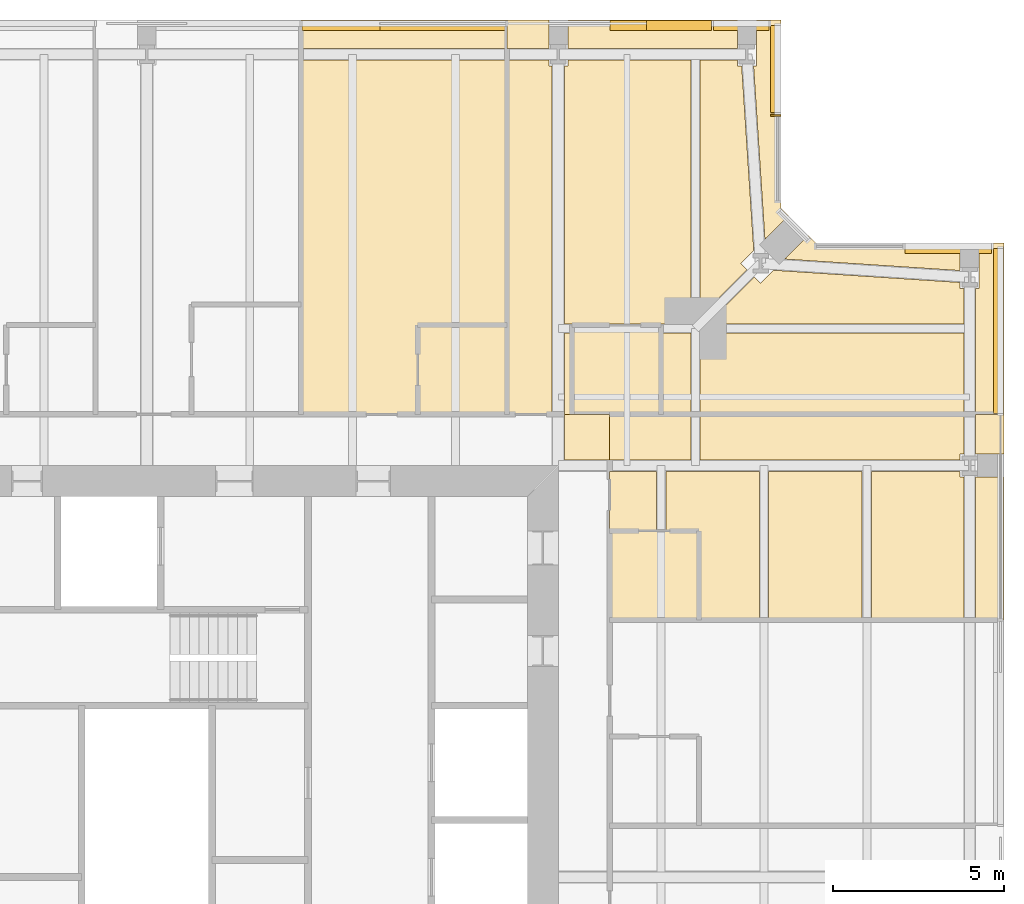
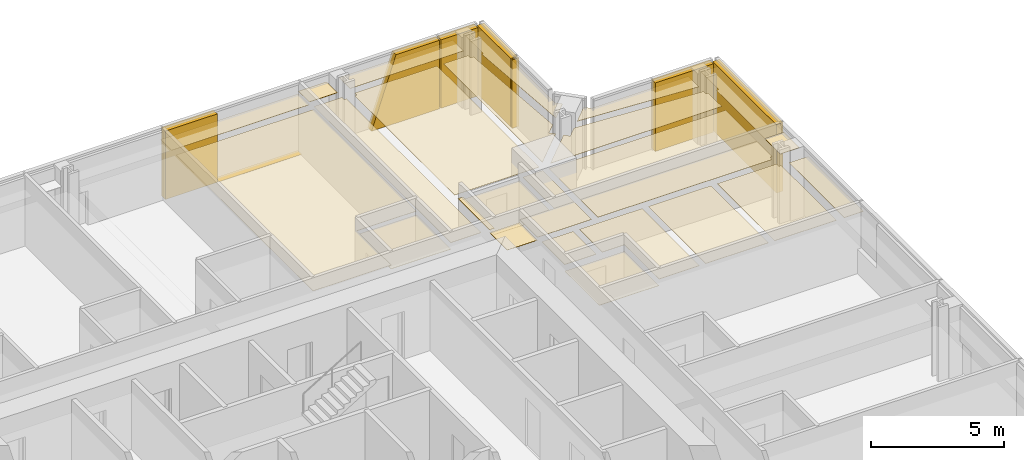
# One storey, part 20 of 20: 33 coverings.
"""IFC4 building model written with IfcOpenShell, lengths in metres."""

from ifc_helpers import new_model, si_unit, direction, frame, origin, place, context, subcontext, project, spatial, polyline, outline, extrude, material, layer, layer_set, type_object, element, save


model = new_model("IFC4")

# Units and contexts
model_context = context("Model", 3, precision=1e-05, world=origin(), true_north=direction((0.0, 1.0)))
body_context = subcontext(model_context, "Body", "Model", "MODEL_VIEW")
ifc_project = project(units=[si_unit("LENGTHUNIT", "METRE"), si_unit("AREAUNIT", "SQUARE_METRE"), si_unit("VOLUMEUNIT", "CUBIC_METRE"), si_unit("PLANEANGLEUNIT", "RADIAN"), si_unit("MASSUNIT", "GRAM", prefix="KILO")], contexts=[model_context])

# Site, building, storey
site_placement = place(None, origin())
site = spatial("IfcSite", under=ifc_project, at=site_placement, CompositionType="ELEMENT")
building_placement = place(site_placement, origin())
building = spatial("IfcBuilding", under=site, at=building_placement, Name="Fenwick Lantern Interchange", CompositionType="ELEMENT")
storey_placement = place(building_placement, frame((0.0, 0.0, 249.199951171875)))
storey = spatial("IfcBuildingStorey", under=building, at=storey_placement, Name="L58", CompositionType="ELEMENT", Elevation=249.199951171875)

# Coverings
ifc_material_1 = material(Name="Granite cladding, warm grey flamed finish, on aluminium carrier frame", Category="masonry")
ifc_layer_1 = layer(ifc_material_1, 0.300048828125)
ifc_layer_set_1 = layer_set([ifc_layer_1], Name="BRACE CASING PANEL 300")
covering_type_1 = type_object("IfcCoveringType", Name="BRACE CASING PANEL 300", PredefinedType="CLADDING", material=ifc_layer_set_1)
covering_1_placement = place(storey_placement, frame((49.89990234375, 6.60009765625, 0.0), z_axis=(0.0, 0.0, 1.0), x_axis=(0.0, 1.0, 0.0)))
element("IfcCovering", 1, at=covering_1_placement, inside=storey, type_object=covering_type_1, Name="Brace casing 05 bay 06a", PredefinedType="CLADDING", context=body_context, shape_type="SweptSolid", body=[
    extrude(outline(polyline([(31.929931640625, 0.0), (36.739990234375, 0.0), (36.739990234375, 3.150146484375), (31.929931640625, 3.150146484375), (31.929931640625, 0.0)])), frame((0.0, 0.2099609375, 0.0), z_axis=(0.0, -1.0, 0.0), x_axis=(1.0, 0.0, 0.0)), (0.0, 0.0, 1.0), 0.300048828125),
])
covering_2_placement = place(storey_placement, frame((49.89990234375, 43.39990234375, 0.0), z_axis=(0.0, 0.0, 1.0), x_axis=(-1.0, 0.0, 0.0)))
element("IfcCovering", 2, at=covering_2_placement, inside=storey, type_object=covering_type_1, Name="Brace casing 06 bay 00a", PredefinedType="CLADDING", context=body_context, shape_type="SweptSolid", body=[
    extrude(outline(polyline([(0.260009765625, 0.0), (2.790771484375, 0.0), (2.790771484375, 3.150146484375), (0.260009765625, 3.150146484375), (0.260009765625, 0.0)])), frame((0.0, 0.2099609375, 0.0), z_axis=(0.0, -1.0, 0.0), x_axis=(1.0, 0.0, 0.0)), (0.0, 0.0, 1.0), 0.300048828125),
])
covering_3_placement = place(storey_placement, frame((43.39990234375, 44.45849609375, 0.0), z_axis=(0.0, 0.0, 1.0), x_axis=(0.0, 1.0, 0.0)))
element("IfcCovering", 3, at=covering_3_placement, inside=storey, type_object=covering_type_1, Name="Brace casing 08 bay 00a", PredefinedType="CLADDING", context=body_context, shape_type="SweptSolid", body=[
    extrude(outline(polyline([(2.741455078125, 0.0), (2.790771484375, 0.0), (2.790771484375, 3.150146484375), (2.741455078125, 3.150146484375), (2.741455078125, 0.0)])), frame((0.0, 0.2099609375, 0.0), z_axis=(0.0, -1.0, 0.0), x_axis=(1.0, 0.0, 0.0)), (0.0, 0.0, 1.0), 0.300048828125),
])
covering_4_placement = place(storey_placement, frame((43.39990234375, 44.45849609375, 0.0), z_axis=(0.0, 0.0, 1.0), x_axis=(0.0, 1.0, 0.0)))
element("IfcCovering", 4, at=covering_4_placement, inside=storey, type_object=covering_type_1, Name="Brace casing 08 bay 01a", PredefinedType="CLADDING", context=body_context, shape_type="SweptSolid", body=[
    extrude(outline(polyline([(2.850830078125, 0.0), (5.38134765625, 0.0), (5.38134765625, 3.150146484375), (2.850830078125, 3.150146484375), (2.850830078125, 0.0)])), frame((0.0, 0.2099609375, 0.0), z_axis=(0.0, -1.0, 0.0), x_axis=(1.0, 0.0, 0.0)), (0.0, 0.0, 1.0), 0.300048828125),
])
covering_5_placement = place(storey_placement, frame((43.39990234375, 49.89990234375, 0.0), z_axis=(0.0, 0.0, 1.0), x_axis=(-1.0, 0.0, 0.0)))
element("IfcCovering", 5, at=covering_5_placement, inside=storey, type_object=covering_type_1, Name="Brace casing 09 bay 00a", PredefinedType="CLADDING", context=body_context, shape_type="SweptSolid", body=[
    extrude(outline(polyline([(0.260009765625, 0.0), (1.8701171875, 0.0), (1.8701171875, 3.150146484375), (0.260009765625, 3.150146484375), (0.260009765625, 0.0)])), frame((0.0, 0.2099609375, 0.0), z_axis=(0.0, -1.0, 0.0), x_axis=(1.0, 0.0, 0.0)), (0.0, 0.0, 1.0), 0.300048828125),
])
covering_6_placement = place(storey_placement, frame((43.39990234375, 49.89990234375, 0.0), z_axis=(0.0, 0.0, 1.0), x_axis=(-1.0, 0.0, 0.0)))
element("IfcCovering", 6, at=covering_6_placement, inside=storey, type_object=covering_type_1, Name="Brace casing 09 bay 01a", PredefinedType="CLADDING", context=body_context, shape_type="SweptSolid", body=[
    extrude(outline(polyline([(1.929931640625, 0.0), (4.890869140625, 0.0), (3.827392578125, 3.150146484375), (1.929931640625, 3.150146484375), (1.929931640625, 0.0)])), frame((0.0, 0.2099609375, 0.0), z_axis=(0.0, -1.0, 0.0), x_axis=(1.0, 0.0, 0.0)), (0.0, 0.0, 1.0), 0.300048828125),
])
covering_7_placement = place(storey_placement, frame((43.39990234375, 49.89990234375, 0.0), z_axis=(0.0, 0.0, 1.0), x_axis=(-1.0, 0.0, 0.0)))
element("IfcCovering", 7, at=covering_7_placement, inside=storey, type_object=covering_type_1, Name="Brace casing 09 bay 02a", PredefinedType="CLADDING", context=body_context, shape_type="SweptSolid", body=[
    extrude(outline(polyline([(7.929931640625, 0.0), (13.8701171875, 0.0), (13.8701171875, 3.150146484375), (11.60498046875, 3.150146484375), (11.60498046875, 0.00439453125), (7.929931640625, 0.00439453125), (7.929931640625, 0.0)])), frame((0.0, 0.2099609375, 0.0), z_axis=(0.0, -1.0, 0.0), x_axis=(1.0, 0.0, 0.0)), (0.0, 0.0, 1.0), 0.300048828125),
])
ifc_material_2 = material(Name="Moisture resistant gypsum board on suspended frame, painted")
ifc_layer_2 = layer(ifc_material_2, 0.014892578125)
ifc_layer_set_2 = layer_set([ifc_layer_2], Name="MOISTURE RESISTANT CEILING 15")
covering_type_2 = type_object("IfcCoveringType", Name="MOISTURE RESISTANT CEILING 15", PredefinedType="CEILING", material=ifc_layer_set_2)
covering_8_placement = place(storey_placement, frame((0.0, 0.0, 2.400146484375)))
element("IfcCovering", 8, at=covering_8_placement, inside=storey, type_object=covering_type_2, Name="En-suite 5810 ceiling", PredefinedType="CEILING", context=body_context, shape_type="SweptSolid", body=[
    extrude(outline(polyline([(41.10009765625, 32.5), (41.10009765625, 35.10009765625), (38.5, 35.10009765625), (38.5, 32.5), (41.10009765625, 32.5)])), origin(), (0.0, 0.0, 1.0), 0.014892578125),
])
covering_9_placement = place(storey_placement, frame((0.0, 0.0, 2.400146484375)))
element("IfcCovering", 9, at=covering_9_placement, inside=storey, type_object=covering_type_2, Name="En-suite 5811 ceiling", PredefinedType="CEILING", context=body_context, shape_type="SweptSolid", body=[
    extrude(outline(polyline([(40.0, 41.10009765625), (37.39990234375, 41.10009765625), (37.39990234375, 38.5), (40.0, 38.5), (40.0, 41.10009765625)])), origin(), (0.0, 0.0, 1.0), 0.014892578125),
])
covering_10_placement = place(storey_placement, frame((0.0, 0.0, 2.400146484375)))
element("IfcCovering", 10, at=covering_10_placement, inside=storey, type_object=covering_type_2, Name="En-suite 5812 ceiling", PredefinedType="CEILING", context=body_context, shape_type="SweptSolid", body=[
    extrude(outline(polyline([(35.5, 41.10009765625), (32.89990234375, 41.10009765625), (32.89990234375, 38.5), (35.5, 38.5), (35.5, 41.10009765625)])), origin(), (0.0, 0.0, 1.0), 0.014892578125),
])
ifc_material_3 = material(Name="Gypsum plasterboard on suspended frame, painted")
ifc_layer_3 = layer(ifc_material_3, 0.014892578125)
ifc_layer_set_3 = layer_set([ifc_layer_3], Name="PLASTERBOARD CEILING 15")
covering_type_3 = type_object("IfcCoveringType", Name="PLASTERBOARD CEILING 15", PredefinedType="CEILING", material=ifc_layer_set_3)
covering_11_placement = place(storey_placement, frame((0.0, 0.0, 2.572998046875)))
element("IfcCovering", 11, at=covering_11_placement, inside=storey, type_object=covering_type_3, Name="Corridor ceiling", PredefinedType="CEILING", context=body_context, shape_type="SweptSolid", body=[
    extrude(outline(polyline([(38.5, 38.5), (37.183837890625, 38.5), (37.183837890625, 37.166015625), (38.5, 37.166015625), (38.5, 38.5)])), origin(), (0.0, 0.0, 1.0), 0.014892578125),
])
covering_12_placement = place(storey_placement, frame((0.0, 0.0, 2.699951171875)))
element("IfcCovering", 12, at=covering_12_placement, inside=storey, type_object=covering_type_3, Name="Guest room 5810 ceiling", PredefinedType="CEILING", context=body_context, shape_type="SweptSolid", body=[
    extrude(outline(polyline([(43.134521484375, 32.5), (45.865478515625, 32.5), (45.865478515625, 36.833984375), (43.134521484375, 36.833984375), (43.134521484375, 32.5)])), origin(), (0.0, 0.0, 1.0), 0.01513671875),
])
covering_13_placement = place(storey_placement, frame((0.0, 0.0, 2.699951171875)))
element("IfcCovering", 13, at=covering_13_placement, inside=storey, type_object=covering_type_3, Name="Guest room 5810 ceiling", PredefinedType="CEILING", context=body_context, shape_type="SweptSolid", body=[
    extrude(outline(polyline([(48.72265625, 36.66552734375), (48.72265625, 36.833984375), (46.134521484375, 36.833984375), (46.134521484375, 32.5), (48.82763671875, 32.5), (48.82763671875, 36.66552734375), (48.72265625, 36.66552734375)])), origin(), (0.0, 0.0, 1.0), 0.01513671875),
])
covering_14_placement = place(storey_placement, frame((0.0, 0.0, 2.699951171875)))
element("IfcCovering", 14, at=covering_14_placement, inside=storey, type_object=covering_type_3, Name="Guest room 5810 ceiling", PredefinedType="CEILING", context=body_context, shape_type="SweptSolid", body=[
    extrude(outline(polyline([(48.72265625, 37.33447265625), (48.82763671875, 37.33447265625), (48.82763671875, 38.5), (41.134521484375, 38.5), (41.134521484375, 37.166015625), (48.72265625, 37.166015625), (48.72265625, 37.33447265625)])), origin(), (0.0, 0.0, 1.0), 0.01513671875),
])
covering_15_placement = place(storey_placement, frame((0.0, 0.0, 2.699951171875)))
element("IfcCovering", 15, at=covering_15_placement, inside=storey, type_object=covering_type_3, Name="Guest room 5810 ceiling", PredefinedType="CEILING", context=body_context, shape_type="SweptSolid", body=[
    extrude(outline(polyline([(41.10009765625, 32.5), (42.865478515625, 32.5), (42.865478515625, 36.833984375), (40.134521484375, 36.833984375), (40.134521484375, 35.10009765625), (41.10009765625, 35.10009765625), (41.10009765625, 32.5)])), origin(), (0.0, 0.0, 1.0), 0.01513671875),
])
covering_16_placement = place(storey_placement, frame((0.0, 0.0, 2.699951171875)))
element("IfcCovering", 16, at=covering_16_placement, inside=storey, type_object=covering_type_3, Name="Guest room 5810 ceiling", PredefinedType="CEILING", context=body_context, shape_type="SweptSolid", body=[
    extrude(outline(polyline([(50.0, 36.66552734375), (49.17236328125, 36.66552734375), (49.17236328125, 32.5), (50.0, 32.5), (50.0, 36.66552734375)])), origin(), (0.0, 0.0, 1.0), 0.01513671875),
])
covering_17_placement = place(storey_placement, frame((0.0, 0.0, 2.699951171875)))
element("IfcCovering", 17, at=covering_17_placement, inside=storey, type_object=covering_type_3, Name="Guest room 5810 ceiling", PredefinedType="CEILING", context=body_context, shape_type="SweptSolid", body=[
    extrude(outline(polyline([(38.5, 38.5), (38.5, 37.166015625), (40.865478515625, 37.166015625), (40.865478515625, 38.5), (38.5, 38.5)])), origin(), (0.0, 0.0, 1.0), 0.01513671875),
])
covering_18_placement = place(storey_placement, frame((0.0, 0.0, 2.699951171875)))
element("IfcCovering", 18, at=covering_18_placement, inside=storey, type_object=covering_type_3, Name="Guest room 5810 ceiling", PredefinedType="CEILING", context=body_context, shape_type="SweptSolid", body=[
    extrude(outline(polyline([(38.5, 35.10009765625), (39.865478515625, 35.10009765625), (39.865478515625, 36.833984375), (38.5, 36.833984375), (38.5, 35.10009765625)])), origin(), (0.0, 0.0, 1.0), 0.01513671875),
])
covering_19_placement = place(storey_placement, frame((0.0, 0.0, 2.699951171875)))
element("IfcCovering", 19, at=covering_19_placement, inside=storey, type_object=covering_type_3, Name="Guest room 5810 ceiling", PredefinedType="CEILING", context=body_context, shape_type="SweptSolid", body=[
    extrude(outline(polyline([(50.0, 37.33447265625), (50.0, 38.5), (49.17236328125, 38.5), (49.17236328125, 37.33447265625), (50.0, 37.33447265625)])), origin(), (0.0, 0.0, 1.0), 0.01513671875),
])
covering_20_placement = place(storey_placement, frame((0.0, 0.0, 2.699951171875)))
element("IfcCovering", 20, at=covering_20_placement, inside=storey, type_object=covering_type_3, Name="Guest suite 5811 ceiling", PredefinedType="CEILING", context=body_context, shape_type="SweptSolid", body=[
    extrude(outline(polyline([(37.27734375, 48.66552734375), (37.183837890625, 48.66552734375), (37.183837890625, 41.134521484375), (40.865478515625, 41.134521484375), (40.865478515625, 48.82763671875), (37.27734375, 48.82763671875), (37.27734375, 48.66552734375)])), origin(), (0.0, 0.0, 1.0), 0.01513671875),
])
covering_21_placement = place(storey_placement, frame((0.0, 0.0, 2.699951171875)))
element("IfcCovering", 21, at=covering_21_placement, inside=storey, type_object=covering_type_3, Name="Guest suite 5811 ceiling", PredefinedType="CEILING", context=body_context, shape_type="SweptSolid", body=[
    extrude(outline(polyline([(41.134521484375, 38.5), (48.82763671875, 38.5), (48.82763671875, 40.865478515625), (41.134521484375, 40.865478515625), (41.134521484375, 38.5)])), origin(), (0.0, 0.0, 1.0), 0.01513671875),
])
covering_22_placement = place(storey_placement, frame((0.0, 0.0, 2.699951171875)))
element("IfcCovering", 22, at=covering_22_placement, inside=storey, type_object=covering_type_3, Name="Guest suite 5811 ceiling", PredefinedType="CEILING", context=body_context, shape_type="SweptSolid", body=[
    extrude(outline(polyline([(35.5, 38.5), (36.816162109375, 38.5), (36.816162109375, 48.66552734375), (36.72265625, 48.66552734375), (36.72265625, 48.82763671875), (35.5, 48.82763671875), (35.5, 38.5)])), origin(), (0.0, 0.0, 1.0), 0.01513671875),
])
covering_23_placement = place(storey_placement, frame((0.0, 0.0, 2.699951171875)))
element("IfcCovering", 23, at=covering_23_placement, inside=storey, type_object=covering_type_3, Name="Guest suite 5811 ceiling", PredefinedType="CEILING", context=body_context, shape_type="SweptSolid", body=[
    extrude(outline(polyline([(42.89990234375, 42.3173828125), (42.71728515625, 42.500244140625), (41.351318359375, 41.134521484375), (48.82763671875, 41.134521484375), (48.82763671875, 42.16552734375), (48.72265625, 42.16552734375), (48.72265625, 42.345458984375), (43.284423828125, 42.701904296875), (42.89990234375, 42.3173828125)])), origin(), (0.0, 0.0, 1.0), 0.01513671875),
])
covering_24_placement = place(storey_placement, frame((0.0, 0.0, 2.699951171875)))
element("IfcCovering", 24, at=covering_24_placement, inside=storey, type_object=covering_type_3, Name="Guest suite 5811 ceiling", PredefinedType="CEILING", context=body_context, shape_type="SweptSolid", body=[
    extrude(outline(polyline([(42.22265625, 48.66552734375), (42.22265625, 48.82763671875), (41.134521484375, 48.82763671875), (41.134521484375, 41.351318359375), (42.500244140625, 42.71728515625), (42.3173828125, 42.89990234375), (42.701904296875, 43.284423828125), (42.34912109375, 48.66552734375), (42.22265625, 48.66552734375)])), origin(), (0.0, 0.0, 1.0), 0.01513671875),
])
covering_25_placement = place(storey_placement, frame((0.0, 0.0, 2.699951171875)))
element("IfcCovering", 25, at=covering_25_placement, inside=storey, type_object=covering_type_3, Name="Guest suite 5811 ceiling", PredefinedType="CEILING", context=body_context, shape_type="SweptSolid", body=[
    extrude(outline(polyline([(42.77734375, 48.66552734375), (42.69482421875, 48.66552734375), (43.0263671875, 43.60888671875), (43.708740234375, 44.291259765625), (43.5, 44.5), (43.5, 50.0), (42.77734375, 50.0), (42.77734375, 48.66552734375)])), origin(), (0.0, 0.0, 1.0), 0.01513671875),
])
covering_26_placement = place(storey_placement, frame((0.0, 0.0, 2.699951171875)))
element("IfcCovering", 26, at=covering_26_placement, inside=storey, type_object=covering_type_3, Name="Guest suite 5811 ceiling", PredefinedType="CEILING", context=body_context, shape_type="SweptSolid", body=[
    extrude(outline(polyline([(37.27734375, 50.0), (37.27734375, 49.17236328125), (42.22265625, 49.17236328125), (42.22265625, 50.0), (37.27734375, 50.0)])), origin(), (0.0, 0.0, 1.0), 0.01513671875),
])
covering_27_placement = place(storey_placement, frame((0.0, 0.0, 2.699951171875)))
element("IfcCovering", 27, at=covering_27_placement, inside=storey, type_object=covering_type_3, Name="Guest suite 5811 ceiling", PredefinedType="CEILING", context=body_context, shape_type="SweptSolid", body=[
    extrude(outline(polyline([(49.27734375, 43.5), (49.27734375, 42.16552734375), (49.17236328125, 42.16552734375), (49.17236328125, 38.5), (50.0, 38.5), (50.0, 43.5), (49.27734375, 43.5)])), origin(), (0.0, 0.0, 1.0), 0.01513671875),
])
covering_28_placement = place(storey_placement, frame((0.0, 0.0, 2.699951171875)))
element("IfcCovering", 28, at=covering_28_placement, inside=storey, type_object=covering_type_3, Name="Guest suite 5811 ceiling", PredefinedType="CEILING", context=body_context, shape_type="SweptSolid", body=[
    extrude(outline(polyline([(44.291259765625, 43.708740234375), (43.60888671875, 43.0263671875), (48.72265625, 42.69091796875), (48.72265625, 43.5), (44.5, 43.5), (44.291259765625, 43.708740234375)])), origin(), (0.0, 0.0, 1.0), 0.01513671875),
])
covering_29_placement = place(storey_placement, frame((0.0, 0.0, 2.699951171875)))
element("IfcCovering", 29, at=covering_29_placement, inside=storey, type_object=covering_type_3, Name="Guest suite 5811 ceiling", PredefinedType="CEILING", context=body_context, shape_type="SweptSolid", body=[
    extrude(outline(polyline([(40.0, 38.5), (40.865478515625, 38.5), (40.865478515625, 40.865478515625), (40.0, 40.865478515625), (40.0, 38.5)])), origin(), (0.0, 0.0, 1.0), 0.01513671875),
])
covering_30_placement = place(storey_placement, frame((0.0, 0.0, 2.699951171875)))
element("IfcCovering", 30, at=covering_30_placement, inside=storey, type_object=covering_type_3, Name="Guest suite 5811 ceiling", PredefinedType="CEILING", context=body_context, shape_type="SweptSolid", body=[
    extrude(outline(polyline([(35.5, 50.0), (35.5, 49.17236328125), (36.72265625, 49.17236328125), (36.72265625, 50.0), (35.5, 50.0)])), origin(), (0.0, 0.0, 1.0), 0.01513671875),
])
covering_31_placement = place(storey_placement, frame((0.0, 0.0, 2.699951171875)))
element("IfcCovering", 31, at=covering_31_placement, inside=storey, type_object=covering_type_3, Name="Guest suite 5811 ceiling", PredefinedType="CEILING", context=body_context, shape_type="SweptSolid", body=[
    extrude(outline(polyline([(37.39990234375, 38.5), (37.39990234375, 40.865478515625), (37.183837890625, 40.865478515625), (37.183837890625, 38.5), (37.39990234375, 38.5)])), origin(), (0.0, 0.0, 1.0), 0.01513671875),
])
covering_32_placement = place(storey_placement, frame((0.0, 0.0, 2.572998046875)))
element("IfcCovering", 32, at=covering_32_placement, inside=storey, type_object=covering_type_3, Name="Guest room 5812 ceiling", PredefinedType="CEILING", context=body_context, shape_type="SweptSolid", body=[
    extrude(outline(polyline([(29.5, 48.82763671875), (29.5, 38.5), (32.89990234375, 38.5), (32.89990234375, 41.10009765625), (35.5, 41.10009765625), (35.5, 48.82763671875), (29.5, 48.82763671875)])), origin(), (0.0, 0.0, 1.0), 0.014892578125),
])
covering_33_placement = place(storey_placement, frame((0.0, 0.0, 2.572998046875)))
element("IfcCovering", 33, at=covering_33_placement, inside=storey, type_object=covering_type_3, Name="Guest room 5812 ceiling", PredefinedType="CEILING", context=body_context, shape_type="SweptSolid", body=[
    extrude(outline(polyline([(29.5, 50.0), (29.5, 49.17236328125), (35.5, 49.17236328125), (35.5, 50.0), (29.5, 50.0)])), origin(), (0.0, 0.0, 1.0), 0.014892578125),
])

save(model, "model.ifc")
